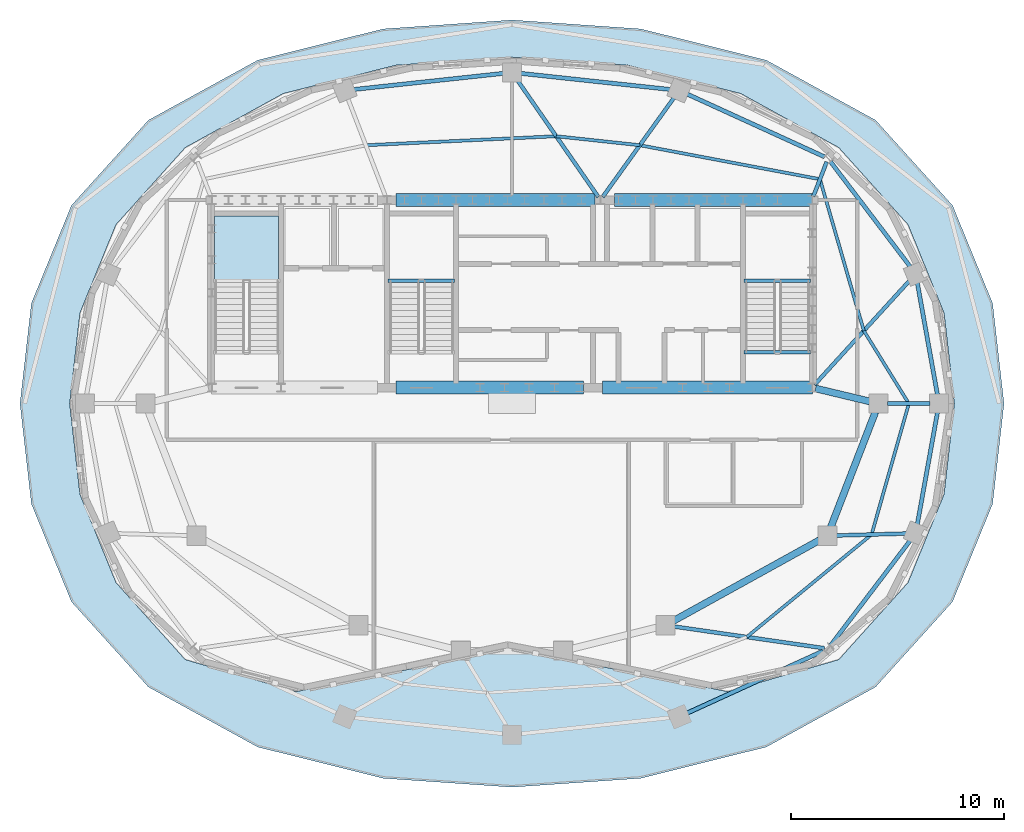
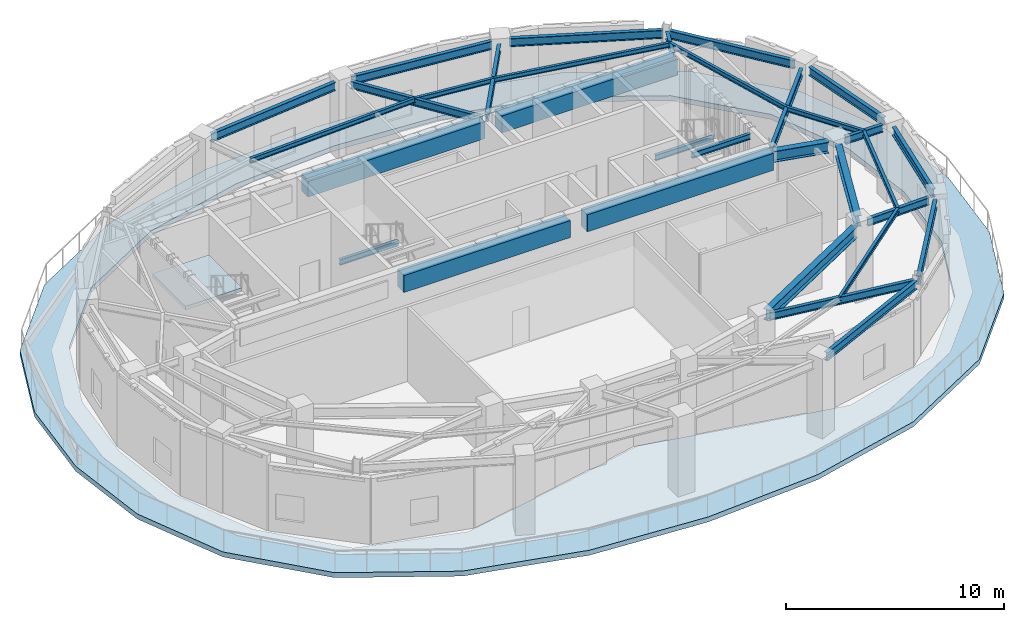
# One storey, part 2 of 8: 32 beams, 2 slabs, 1 element without a shape of its own.
"""IFC4 building model written with IfcOpenShell, lengths in metres."""

from ifc_helpers import new_model, si_unit, direction, frame, origin, origin_2d, place, context, subcontext, project, spatial, polyline, rectangle, i_section, outline, extrude, material, layer, layer_set, material_profile, profile_set, type_object, element, aggregate, save


model = new_model("IFC4")

# Units and contexts
model_context = context("Model", 3, precision=1e-05, world=origin(), true_north=direction((0.0, 1.0)))
body_context = subcontext(model_context, "Body", "Model", "MODEL_VIEW")
ifc_project = project(units=[si_unit("LENGTHUNIT", "METRE"), si_unit("AREAUNIT", "SQUARE_METRE"), si_unit("VOLUMEUNIT", "CUBIC_METRE"), si_unit("PLANEANGLEUNIT", "RADIAN"), si_unit("MASSUNIT", "GRAM", prefix="KILO")], contexts=[model_context])

# Site, building, storey
site_placement = place(None, origin())
site = spatial("IfcSite", under=ifc_project, at=site_placement, CompositionType="ELEMENT")
building_placement = place(site_placement, origin())
building = spatial("IfcBuilding", under=site, at=building_placement, Name="Haldorwick Loom Tower", CompositionType="ELEMENT")
storey_placement = place(building_placement, frame((0.0, 0.0, 291.5)))
storey = spatial("IfcBuildingStorey", under=building, at=storey_placement, Name="L78", CompositionType="ELEMENT", Elevation=291.5)

# Beams
ifc_material_1 = material(Name="Concrete C50 (50 MPa)", Category="concrete")
ifc_material_profile_1 = material_profile(ifc_material_1, rectangle(XDim=0.60009765625, YDim=0.949951171875, at=origin_2d()), Name="RC600X950", Category="concrete")
ifc_profile_set_1 = profile_set([ifc_material_profile_1], Name="Concrete C50 (50 MPa)")
beam_type_1 = type_object("IfcBeamType", Name="STR-BM-CB950", PredefinedType="LINTEL", material=ifc_profile_set_1)
beam_1_placement = place(storey_placement, frame((30.550048828125, 35.550048828125, 3.7451171875), z_axis=(1.0, 0.0, 0.0), x_axis=(0.0, 1.0, 0.0)))
element("IfcBeam", 1, at=beam_1_placement, inside=storey, type_object=beam_type_1, Name="L78 Core Coupling Beam CB-N2", PredefinedType="LINTEL", context=body_context, shape_type="SweptSolid", body=[
    extrude(rectangle(XDim=0.60009765625, YDim=0.949951171875, at=origin_2d()), origin(), (0.0, 0.0, 1.0), 9.349853515625),
])
beam_2_placement = place(storey_placement, frame((40.800048828125, 35.550048828125, 3.7451171875), z_axis=(1.0, 0.0, 0.0), x_axis=(0.0, 1.0, 0.0)))
element("IfcBeam", 2, at=beam_2_placement, inside=storey, type_object=beam_type_1, Name="L78 Core Coupling Beam CB-N3", PredefinedType="LINTEL", context=body_context, shape_type="SweptSolid", body=[
    extrude(rectangle(XDim=0.60009765625, YDim=0.949951171875, at=origin_2d()), origin(), (0.0, 0.0, 1.0), 9.300048828125),
])
beam_3_placement = place(storey_placement, frame((30.550048828125, 26.75, 3.7451171875), z_axis=(1.0, 0.0, 0.0), x_axis=(0.0, 1.0, 0.0)))
element("IfcBeam", 3, at=beam_3_placement, inside=storey, type_object=beam_type_1, Name="L78 Core Coupling Beam CB-S2", PredefinedType="LINTEL", context=body_context, shape_type="SweptSolid", body=[
    extrude(rectangle(XDim=0.60009765625, YDim=0.949951171875, at=origin_2d()), origin(), (0.0, 0.0, 1.0), 8.800048828125),
])
beam_4_placement = place(storey_placement, frame((40.25, 26.75, 3.7451171875), z_axis=(1.0, 0.0, 0.0), x_axis=(0.0, 1.0, 0.0)))
element("IfcBeam", 4, at=beam_4_placement, inside=storey, type_object=beam_type_1, Name="L78 Core Coupling Beam CB-S3", PredefinedType="LINTEL", context=body_context, shape_type="SweptSolid", body=[
    extrude(rectangle(XDim=0.60009765625, YDim=0.949951171875, at=origin_2d()), origin(), (0.0, 0.0, 1.0), 9.85009765625),
])
ifc_material_2 = material(Name="Steel CSA G40.21 350W", Category="steel")
ifc_material_profile_2 = material_profile(ifc_material_2, i_section(OverallWidth=0.14599609375, OverallDepth=0.258056640625, WebThickness=0.006103515625, FlangeThickness=0.009033203125, at=origin_2d()), Name="W250X33", Category="steel")
ifc_profile_set_2 = profile_set([ifc_material_profile_2], Name="Steel CSA G40.21 350W")
beam_type_2 = type_object("IfcBeamType", Name="STR-BM-J250", PredefinedType="JOIST", material=ifc_profile_set_2)
beam_5_placement = place(storey_placement, frame((54.61669921875, 26.0, 4.091064453125), z_axis=(-0.525703769437, 0.850667706452, 0.0), x_axis=(-0.850667706452, -0.525703769437, 0.0)))
element("IfcBeam", 5, at=beam_5_placement, inside=storey, type_object=beam_type_2, Name="L78 Mid-Bay Secondary Joist 1", PredefinedType="JOIST", context=body_context, shape_type="SweptSolid", body=[
    extrude(i_section(OverallWidth=0.14599609375, OverallDepth=0.258056640625, WebThickness=0.006103515625, FlangeThickness=0.009033203125, at=origin_2d()), origin(), (0.0, 0.0, 1.0), 4.01708984375),
])
beam_6_placement = place(storey_placement, frame((52.5048828125, 29.417236328125, 4.091064453125), z_axis=(-0.27798758119, 0.96058466816, 0.0), x_axis=(-0.96058466816, -0.27798758119, 0.0)))
element("IfcBeam", 6, at=beam_6_placement, inside=storey, type_object=beam_type_2, Name="L78 Mid-Bay Secondary Joist 2", PredefinedType="JOIST", context=body_context, shape_type="SweptSolid", body=[
    extrude(i_section(OverallWidth=0.14599609375, OverallDepth=0.258056640625, WebThickness=0.006103515625, FlangeThickness=0.009033203125, at=origin_2d()), origin(), (0.0, 0.0, 1.0), 7.400146484375),
])
beam_7_placement = place(storey_placement, frame((50.44775390625, 36.525634765625, 4.091064453125), z_axis=(-0.982664581525, 0.185392341308, 0.0), x_axis=(-0.185392341308, -0.982664581525, 0.0)))
element("IfcBeam", 7, at=beam_7_placement, inside=storey, type_object=beam_type_2, Name="L78 Mid-Bay Secondary Joist 3", PredefinedType="JOIST", context=body_context, shape_type="SweptSolid", body=[
    extrude(i_section(OverallWidth=0.14599609375, OverallDepth=0.258056640625, WebThickness=0.006103515625, FlangeThickness=0.009033203125, at=origin_2d()), origin(), (0.0, 0.0, 1.0), 8.599365234375),
])
beam_8_placement = place(storey_placement, frame((41.99755859375, 38.119873046875, 4.091064453125), z_axis=(-0.994246477225, 0.107116490451, 0.0), x_axis=(-0.107116490451, -0.994246477225, 0.0)))
element("IfcBeam", 8, at=beam_8_placement, inside=storey, type_object=beam_type_2, Name="L78 Mid-Bay Secondary Joist 4", PredefinedType="JOIST", context=body_context, shape_type="SweptSolid", body=[
    extrude(i_section(OverallWidth=0.14599609375, OverallDepth=0.258056640625, WebThickness=0.006103515625, FlangeThickness=0.009033203125, at=origin_2d()), origin(), (0.0, 0.0, 1.0), 3.9453125),
])
beam_9_placement = place(storey_placement, frame((38.074951171875, 38.54248046875, 4.091064453125), z_axis=(-0.998882668126, -0.047259023657, 0.0), x_axis=(0.047259023657, -0.998882668126, 0.0)))
element("IfcBeam", 9, at=beam_9_placement, inside=storey, type_object=beam_type_2, Name="L78 Mid-Bay Secondary Joist 5", PredefinedType="JOIST", context=body_context, shape_type="SweptSolid", body=[
    extrude(i_section(OverallWidth=0.14599609375, OverallDepth=0.258056640625, WebThickness=0.006103515625, FlangeThickness=0.009033203125, at=origin_2d()), origin(), (0.0, 0.0, 1.0), 8.9423828125),
])
beam_10_placement = place(storey_placement, frame((47.0126953125, 15.04931640625, 4.091064453125), z_axis=(0.772901177017, 0.634526414396, 0.0), x_axis=(-0.634526414396, 0.772901177017, 0.0)))
element("IfcBeam", 10, at=beam_10_placement, inside=storey, type_object=beam_type_2, Name="L78 Mid-Bay Secondary Joist 15", PredefinedType="JOIST", context=body_context, shape_type="SweptSolid", body=[
    extrude(i_section(OverallWidth=0.14599609375, OverallDepth=0.258056640625, WebThickness=0.006103515625, FlangeThickness=0.009033203125, at=origin_2d()), origin(), (0.0, 0.0, 1.0), 7.577880859375),
])
beam_11_placement = place(storey_placement, frame((52.86962890625, 19.857666015625, 4.091064453125), z_axis=(0.273579780374, 0.961849314482, 0.0), x_axis=(-0.961849314482, 0.273579780374, 0.0)))
element("IfcBeam", 11, at=beam_11_placement, inside=storey, type_object=beam_type_2, Name="L78 Mid-Bay Secondary Joist 16", PredefinedType="JOIST", context=body_context, shape_type="SweptSolid", body=[
    extrude(i_section(OverallWidth=0.14599609375, OverallDepth=0.258056640625, WebThickness=0.006103515625, FlangeThickness=0.009033203125, at=origin_2d()), origin(), (0.0, 0.0, 1.0), 6.385986328125),
])
ifc_material_profile_3 = material_profile(ifc_material_2, i_section(OverallWidth=0.179931640625, OverallDepth=0.4130859375, WebThickness=0.009765625, FlangeThickness=0.01611328125, at=origin_2d()), Name="W410X74", Category="steel")
ifc_profile_set_3 = profile_set([ifc_material_profile_3], Name="Steel CSA G40.21 350W")
beam_type_3 = type_object("IfcBeamType", Name="STR-BM-J410", PredefinedType="JOIST", material=ifc_profile_set_3)
beam_12_placement = place(storey_placement, frame((53.625, 26.0, 4.013427734375), z_axis=(1.0, 0.0, 0.0), x_axis=(0.0, 1.0, 0.0)))
element("IfcBeam", 12, at=beam_12_placement, inside=storey, type_object=beam_type_3, Name="L78 Radial Floor Girder 1", PredefinedType="JOIST", context=body_context, shape_type="SweptSolid", body=[
    extrude(i_section(OverallWidth=0.179931640625, OverallDepth=0.4130859375, WebThickness=0.009765625, FlangeThickness=0.01611328125, at=origin_2d()), origin(), (0.0, 0.0, 1.0), 1.983642578125),
])
beam_13_placement = place(storey_placement, frame((50.185546875, 26.876708984375, 4.013427734375), z_axis=(0.67419160998, 0.738556479243, 0.0), x_axis=(-0.738556479243, 0.67419160998, 0.0)))
element("IfcBeam", 13, at=beam_13_placement, inside=storey, type_object=beam_type_3, Name="L78 Radial Floor Girder 2", PredefinedType="JOIST", context=body_context, shape_type="SweptSolid", body=[
    extrude(i_section(OverallWidth=0.179931640625, OverallDepth=0.4130859375, WebThickness=0.009765625, FlangeThickness=0.01611328125, at=origin_2d()), origin(), (0.0, 0.0, 1.0), 6.62646484375),
])
beam_14_placement = place(storey_placement, frame((50.1318359375, 35.7099609375, 4.013427734375), z_axis=(0.361166360631, 0.932501399435, 0.0), x_axis=(-0.932501399435, 0.361166360631, 0.0)))
element("IfcBeam", 14, at=beam_14_placement, inside=storey, type_object=beam_type_3, Name="L78 Radial Floor Girder 3", PredefinedType="JOIST", context=body_context, shape_type="SweptSolid", body=[
    extrude(i_section(OverallWidth=0.179931640625, OverallDepth=0.4130859375, WebThickness=0.009765625, FlangeThickness=0.01611328125, at=origin_2d()), origin(), (0.0, 0.0, 1.0), 1.74951171875),
])
beam_15_placement = place(storey_placement, frame((40.25, 35.689208984375, 4.013427734375), z_axis=(0.583744840056, 0.811937166109, 0.0), x_axis=(-0.811937166109, 0.583744840056, 0.0)))
element("IfcBeam", 15, at=beam_15_placement, inside=storey, type_object=beam_type_3, Name="L78 Radial Floor Girder 4", PredefinedType="JOIST", context=body_context, shape_type="SweptSolid", body=[
    extrude(i_section(OverallWidth=0.179931640625, OverallDepth=0.4130859375, WebThickness=0.009765625, FlangeThickness=0.01611328125, at=origin_2d()), origin(), (0.0, 0.0, 1.0), 5.733642578125),
])
beam_16_placement = place(storey_placement, frame((40.05224609375, 35.69091796875, 4.013427734375), z_axis=(-0.56982499389, 0.821766071542, 0.0), x_axis=(-0.821766071542, -0.56982499389, 0.0)))
element("IfcBeam", 16, at=beam_16_placement, inside=storey, type_object=beam_type_3, Name="L78 Radial Floor Girder 5", PredefinedType="JOIST", context=body_context, shape_type="SweptSolid", body=[
    extrude(i_section(OverallWidth=0.179931640625, OverallDepth=0.4130859375, WebThickness=0.009765625, FlangeThickness=0.01611328125, at=origin_2d()), origin(), (0.0, 0.0, 1.0), 6.686279296875),
])
beam_17_placement = place(storey_placement, frame((43.62060546875, 15.539306640625, 4.013427734375), z_axis=(0.989729868718, -0.142950295447, 0.0), x_axis=(0.142950295447, 0.989729868718, 0.0)))
element("IfcBeam", 17, at=beam_17_placement, inside=storey, type_object=beam_type_3, Name="L78 Radial Floor Girder 15", PredefinedType="JOIST", context=body_context, shape_type="SweptSolid", body=[
    extrude(i_section(OverallWidth=0.179931640625, OverallDepth=0.4130859375, WebThickness=0.009765625, FlangeThickness=0.01611328125, at=origin_2d()), origin(), (0.0, 0.0, 1.0), 7.108154296875),
])
beam_18_placement = place(storey_placement, frame((51.224853515625, 19.811767578125, 4.013427734375), z_axis=(0.999610923833, 0.02789266845, 0.0), x_axis=(-0.02789266845, 0.999610923833, 0.0)))
element("IfcBeam", 18, at=beam_18_placement, inside=storey, type_object=beam_type_3, Name="L78 Radial Floor Girder 16", PredefinedType="JOIST", context=body_context, shape_type="SweptSolid", body=[
    extrude(i_section(OverallWidth=0.179931640625, OverallDepth=0.4130859375, WebThickness=0.009765625, FlangeThickness=0.01611328125, at=origin_2d()), origin(), (0.0, 0.0, 1.0), 3.291015625),
])
ifc_material_profile_4 = material_profile(ifc_material_2, i_section(OverallWidth=0.193115234375, OverallDepth=0.466064453125, WebThickness=0.011474609375, FlangeThickness=0.01904296875, at=origin_2d()), Name="W460X97", Category="steel")
ifc_profile_set_4 = profile_set([ifc_material_profile_4], Name="Steel CSA G40.21 350W")
beam_type_4 = type_object("IfcBeamType", Name="STR-BM-SP460", PredefinedType="SPANDREL", material=ifc_profile_set_4)
beam_19_placement = place(storey_placement, frame((55.95849609375, 26.418212890625, 3.987060546875), z_axis=(-0.176999556218, 0.984210931202, 0.0), x_axis=(-0.984210931202, -0.176999556218, 0.0)))
element("IfcBeam", 19, at=beam_19_placement, inside=storey, type_object=beam_type_4, Name="L78 Perimeter Spandrel 1", PredefinedType="SPANDREL", context=body_context, shape_type="SweptSolid", body=[
    extrude(i_section(OverallWidth=0.193115234375, OverallDepth=0.466064453125, WebThickness=0.011474609375, FlangeThickness=0.01904296875, at=origin_2d()), origin(), (0.0, 0.0, 1.0), 5.33251953125),
])
beam_20_placement = place(storey_placement, frame((54.682373046875, 32.423095703125, 3.987060546875), z_axis=(-0.604848808079, 0.796340328858, 0.0), x_axis=(-0.796340328858, -0.604848808079, 0.0)))
element("IfcBeam", 20, at=beam_20_placement, inside=storey, type_object=beam_type_4, Name="L78 Perimeter Spandrel 2", PredefinedType="SPANDREL", context=body_context, shape_type="SweptSolid", body=[
    extrude(i_section(OverallWidth=0.193115234375, OverallDepth=0.466064453125, WebThickness=0.011474609375, FlangeThickness=0.01904296875, at=origin_2d()), origin(), (0.0, 0.0, 1.0), 6.205078125),
])
beam_21_placement = place(storey_placement, frame((50.66943359375, 37.572509765625, 3.987060546875), z_axis=(-0.909597043303, 0.415491538799, 0.0), x_axis=(-0.415491538799, -0.909597043303, 0.0)))
element("IfcBeam", 21, at=beam_21_placement, inside=storey, type_object=beam_type_4, Name="L78 Perimeter Spandrel 3", PredefinedType="SPANDREL", context=body_context, shape_type="SweptSolid", body=[
    extrude(i_section(OverallWidth=0.193115234375, OverallDepth=0.466064453125, WebThickness=0.011474609375, FlangeThickness=0.01904296875, at=origin_2d()), origin(), (0.0, 0.0, 1.0), 7.07763671875),
])
for number, where, z_axis, x_axis, name in (
    (22, (43.42236328125, 40.735107421875, 3.987060546875), (-0.994246141162, 0.107119609712, 0.0), (-0.107119609712, -0.994246141162, 0.0), "L78 Perimeter Spandrel 4"),
    (23, (35.577392578125, 41.4892578125, 3.987060546875), (-0.994246141162, -0.107119609712, 0.0), (0.107119609712, -0.994246141162, 0.0), "L78 Perimeter Spandrel 5"),
):
    element("IfcBeam", number, at=place(storey_placement, frame(where, z_axis=z_axis, x_axis=x_axis)), inside=storey, type_object=beam_type_4, Name=name, PredefinedType="SPANDREL", context=body_context, shape_type="SweptSolid", body=[
        extrude(i_section(OverallWidth=0.193115234375, OverallDepth=0.466064453125, WebThickness=0.011474609375, FlangeThickness=0.01904296875, at=origin_2d()), origin(), (0.0, 0.0, 1.0), 7.040283203125),
    ])
beam_22_placement = place(storey_placement, frame((44.231689453125, 11.48681640625, 3.987060546875), z_axis=(0.909597043303, 0.415491538799, 0.0), x_axis=(-0.415491538799, 0.909597043303, 0.0)))
element("IfcBeam", 24, at=beam_22_placement, inside=storey, type_object=beam_type_4, Name="L78 Perimeter Spandrel 14", PredefinedType="SPANDREL", context=body_context, shape_type="SweptSolid", body=[
    extrude(i_section(OverallWidth=0.193115234375, OverallDepth=0.466064453125, WebThickness=0.011474609375, FlangeThickness=0.01904296875, at=origin_2d()), origin(), (0.0, 0.0, 1.0), 7.07763671875),
])
beam_23_placement = place(storey_placement, frame((50.92919921875, 14.635498046875, 3.987060546875), z_axis=(0.604848808079, 0.796340328858, 0.0), x_axis=(-0.796340328858, 0.604848808079, 0.0)))
element("IfcBeam", 25, at=beam_23_placement, inside=storey, type_object=beam_type_4, Name="L78 Perimeter Spandrel 15", PredefinedType="SPANDREL", context=body_context, shape_type="SweptSolid", body=[
    extrude(i_section(OverallWidth=0.193115234375, OverallDepth=0.466064453125, WebThickness=0.011474609375, FlangeThickness=0.01904296875, at=origin_2d()), origin(), (0.0, 0.0, 1.0), 6.205078125),
])
beam_24_placement = place(storey_placement, frame((55.0146484375, 20.33349609375, 3.987060546875), z_axis=(0.176999556218, 0.984210931202, 0.0), x_axis=(-0.984210931202, 0.176999556218, 0.0)))
element("IfcBeam", 26, at=beam_24_placement, inside=storey, type_object=beam_type_4, Name="L78 Perimeter Spandrel 16", PredefinedType="SPANDREL", context=body_context, shape_type="SweptSolid", body=[
    extrude(i_section(OverallWidth=0.193115234375, OverallDepth=0.466064453125, WebThickness=0.011474609375, FlangeThickness=0.01904296875, at=origin_2d()), origin(), (0.0, 0.0, 1.0), 5.33251953125),
])
ifc_material_profile_5 = material_profile(ifc_material_2, i_section(OverallWidth=0.166015625, OverallDepth=0.31298828125, WebThickness=0.006591796875, FlangeThickness=0.01123046875, at=origin_2d()), Name="W310X45", Category="steel")
ifc_profile_set_5 = profile_set([ifc_material_profile_5], Name="Steel CSA G40.21 350W")
beam_type_5 = type_object("IfcBeamType", Name="STR-BM-STRM", PredefinedType="BEAM", material=ifc_profile_set_5)
for number, where, z_axis, x_axis, name in (
    (27, (46.889892578125, 28.39990234375, 4.0634765625), (1.0, 0.0, 0.0), (0.0, 1.0, 0.0), "L78 Stair ST-02 Landing Edge Trimmer"),
    (28, (46.889892578125, 31.760009765625, 1.8935546875), (1.0, 0.0, 0.0), (0.0, 1.0, 0.0), "L78 Stair ST-02 Half-Landing Trimmer 1"),
    (29, (30.18994140625, 31.760009765625, 1.8935546875), (1.0, 0.0, 0.0), (0.0, 1.0, 0.0), "L78 Stair ST-03 Half-Landing Trimmer 1"),
):
    element("IfcBeam", number, at=place(storey_placement, frame(where, z_axis=z_axis, x_axis=x_axis)), inside=storey, type_object=beam_type_5, Name=name, PredefinedType="BEAM", context=body_context, shape_type="SweptSolid", body=[
        extrude(i_section(OverallWidth=0.166015625, OverallDepth=0.31298828125, WebThickness=0.006591796875, FlangeThickness=0.01123046875, at=origin_2d()), origin(), (0.0, 0.0, 1.0), 3.1201171875),
    ])
ifc_material_profile_6 = material_profile(ifc_material_2, i_section(OverallWidth=0.324951171875, OverallDepth=0.615966796875, WebThickness=0.013916015625, FlangeThickness=0.021484375, at=origin_2d()), Name="W610X174", Category="steel")
ifc_profile_set_6 = profile_set([ifc_material_profile_6], Name="Steel CSA G40.21 350W")
beam_type_6 = type_object("IfcBeamType", Name="STR-BM-W610A", PredefinedType="BEAM", material=ifc_profile_set_6)
beam_25_placement = place(storey_placement, frame((50.23681640625, 26.7099609375, 3.912109375), z_axis=(0.972483573168, -0.232971457302, 0.0), x_axis=(0.232971457302, 0.972483573168, 0.0)))
element("IfcBeam", 30, at=beam_25_placement, inside=storey, type_object=beam_type_6, Name="L78 Inner Ring Girder 1", PredefinedType="BEAM", context=body_context, shape_type="SweptSolid", body=[
    extrude(i_section(OverallWidth=0.324951171875, OverallDepth=0.615966796875, WebThickness=0.013916015625, FlangeThickness=0.021484375, at=origin_2d()), origin(), (0.0, 0.0, 1.0), 2.6220703125),
])
beam_26_placement = place(storey_placement, frame((53.046630859375, 25.603759765625, 3.912109375), z_axis=(-0.361001189766, -0.932565354808, 0.0), x_axis=(0.932565354808, -0.361001189766, 0.0)))
element("IfcBeam", 31, at=beam_26_placement, inside=storey, type_object=beam_type_6, Name="L78 Inner Ring Girder 2", PredefinedType="BEAM", context=body_context, shape_type="SweptSolid", body=[
    extrude(i_section(OverallWidth=0.324951171875, OverallDepth=0.615966796875, WebThickness=0.013916015625, FlangeThickness=0.021484375, at=origin_2d()), origin(), (0.0, 0.0, 1.0), 5.798583984375),
])
beam_27_placement = place(storey_placement, frame((50.427978515625, 19.594482421875, 3.912109375), z_axis=(-0.875241535439, -0.48368611169, 0.0), x_axis=(0.48368611169, -0.875241535439, 0.0)))
element("IfcBeam", 32, at=beam_27_placement, inside=storey, type_object=beam_type_6, Name="L78 Inner Ring Girder 3", PredefinedType="BEAM", context=body_context, shape_type="SweptSolid", body=[
    extrude(i_section(OverallWidth=0.324951171875, OverallDepth=0.615966796875, WebThickness=0.013916015625, FlangeThickness=0.021484375, at=origin_2d()), origin(), (0.0, 0.0, 1.0), 7.833251953125),
])

# Stair, slab
ifc_material_3 = material(Name="Concrete C40 (40 MPa)", Category="concrete")
stair_type = type_object("IfcStairType", Name="STR-STR-CORE", PredefinedType="HALF_TURN_STAIR", material=ifc_material_3)
stair_placement = place(storey_placement, origin())
stair = element("IfcStair", 33, at=stair_placement, inside=storey, type_object=stair_type, Name="L78 Exit Stair ST-01", PredefinedType="HALF_TURN_STAIR")
ifc_layer_1 = layer(ifc_material_3, 0.199951171875, Name="Concrete C40 (40 MPa)", Category="concrete")
ifc_layer_set_1 = layer_set([ifc_layer_1], Name="Concrete C40 (40 MPa)")
slab_type_1 = type_object("IfcSlabType", Name="STR-SLB-LAND200", PredefinedType="LANDING", material=ifc_layer_set_1)
slab_1_placement = place(storey_placement, frame((0.0, 0.0, 2.050048828125)))
slab_1 = element("IfcSlab", 34, at=slab_1_placement, type_object=slab_type_1, Name="ST-01 landing 1", PredefinedType="LANDING", context=body_context, shape_type="SweptSolid", body=[
    extrude(outline(polyline([(25.050048828125, 31.760009765625), (25.050048828125, 34.800048828125), (22.050048828125, 34.800048828125), (22.050048828125, 31.760009765625), (25.050048828125, 31.760009765625)])), origin(), (0.0, 0.0, 1.0), 0.199951171875),
])
aggregate(stair, [slab_1])

# Slab
ifc_layer_2 = layer(ifc_material_3, 0.280029296875, Name="Concrete C40 (40 MPa)", Category="concrete")
ifc_layer_set_2 = layer_set([ifc_layer_2], Name="Concrete C40 (40 MPa)")
slab_type_2 = type_object("IfcSlabType", Name="STR-SLB-TERR280", PredefinedType="FLOOR", material=ifc_layer_set_2)
slab_2_placement = place(storey_placement, frame((0.0, 0.0, -0.280029296875)))
element("IfcSlab", 35, at=slab_2_placement, inside=storey, type_object=slab_type_2, Name="L78 Planted Setback Terrace Slab 1", PredefinedType="FLOOR", context=body_context, shape_type="SweptSolid", body=[
    extrude(outline(polyline([(59.08056640625, 25.997802734375), (59.080810546875, 26.0), (59.08056640625, 26.002197265625), (58.54541015625, 30.70703125), (58.545166015625, 30.708984375), (58.544677734375, 30.710693359375), (58.5439453125, 30.71240234375), (56.664306640625, 35.298095703125), (56.66357421875, 35.299560546875), (56.66259765625, 35.301025390625), (56.661865234375, 35.302490234375), (56.66064453125, 35.3037109375), (53.05712890625, 39.29443359375), (53.055419921875, 39.296142578125), (53.0537109375, 39.29736328125), (53.0517578125, 39.298583984375), (47.93212890625, 42.10888671875), (47.930419921875, 42.109619140625), (47.928955078125, 42.1103515625), (47.92724609375, 42.11083984375), (42.04248046875, 43.5771484375), (42.041015625, 43.577392578125), (42.0390625, 43.57763671875), (36.00146484375, 43.9951171875), (35.99853515625, 43.9951171875), (29.9609375, 43.57763671875), (29.958984375, 43.577392578125), (29.95751953125, 43.5771484375), (24.07275390625, 42.11083984375), (24.071044921875, 42.1103515625), (24.069580078125, 42.109619140625), (24.06787109375, 42.10888671875), (18.9482421875, 39.298583984375), (18.9462890625, 39.29736328125), (18.944580078125, 39.296142578125), (18.94287109375, 39.29443359375), (15.33935546875, 35.3037109375), (15.338134765625, 35.302490234375), (15.33740234375, 35.301025390625), (15.33642578125, 35.299560546875), (15.335693359375, 35.298095703125), (13.4560546875, 30.71240234375), (13.455322265625, 30.710693359375), (13.454833984375, 30.708984375), (13.45458984375, 30.70703125), (12.91943359375, 26.002197265625), (12.919189453125, 26.0), (12.91943359375, 25.997802734375), (13.45458984375, 21.29296875), (13.454833984375, 21.291015625), (13.455322265625, 21.289306640625), (13.4560546875, 21.28759765625), (15.335693359375, 16.701904296875), (15.33642578125, 16.700439453125), (15.33740234375, 16.698974609375), (15.338134765625, 16.697509765625), (15.33935546875, 16.6962890625), (18.94287109375, 12.70556640625), (18.944580078125, 12.703857421875), (18.9462890625, 12.70263671875), (18.9482421875, 12.701416015625), (24.06787109375, 9.89111328125), (24.069580078125, 9.890380859375), (24.071044921875, 9.8896484375), (24.07275390625, 9.88916015625), (29.95751953125, 8.4228515625), (29.958984375, 8.422607421875), (29.9609375, 8.42236328125), (35.99853515625, 8.0048828125), (36.00146484375, 8.0048828125), (42.0390625, 8.42236328125), (42.041015625, 8.422607421875), (42.04248046875, 8.4228515625), (47.92724609375, 9.88916015625), (47.928955078125, 9.8896484375), (47.930419921875, 9.890380859375), (47.93212890625, 9.89111328125), (53.0517578125, 12.701416015625), (53.0537109375, 12.70263671875), (53.055419921875, 12.703857421875), (53.05712890625, 12.70556640625), (56.66064453125, 16.6962890625), (56.661865234375, 16.697509765625), (56.66259765625, 16.698974609375), (56.66357421875, 16.700439453125), (56.664306640625, 16.701904296875), (58.5439453125, 21.28759765625), (58.544677734375, 21.289306640625), (58.545166015625, 21.291015625), (58.54541015625, 21.29296875), (59.08056640625, 25.997802734375)]), holes=[polyline([(56.74853515625, 25.99853515625), (56.74853515625, 25.998046875), (56.267333984375, 21.74951171875), (56.267333984375, 21.7490234375), (56.26708984375, 21.748291015625), (56.26708984375, 21.747314453125), (56.266845703125, 21.7470703125), (56.2666015625, 21.74609375), (56.266357421875, 21.745361328125), (56.26611328125, 21.7451171875), (54.57568359375, 17.603271484375), (54.575439453125, 17.602783203125), (54.5751953125, 17.602294921875), (54.57470703125, 17.6015625), (54.57470703125, 17.60107421875), (54.57421875, 17.600341796875), (54.573974609375, 17.60009765625), (54.573486328125, 17.599365234375), (54.572998046875, 17.598876953125), (54.57275390625, 17.598388671875), (51.331787109375, 13.993896484375), (51.33154296875, 13.99365234375), (51.3310546875, 13.9931640625), (51.330322265625, 13.992431640625), (51.330078125, 13.9921875), (51.3291015625, 13.99169921875), (51.328857421875, 13.991455078125), (51.328125, 13.990966796875), (51.32763671875, 13.990478515625), (51.326904296875, 13.990234375), (51.326416015625, 13.989990234375), (51.325439453125, 13.98974609375), (51.324951171875, 13.989501953125), (51.324462890625, 13.9892578125), (46.12109375, 12.49072265625), (46.12060546875, 12.490478515625), (46.119873046875, 12.490478515625), (46.118896484375, 12.490234375), (46.118408203125, 12.490234375), (46.117431640625, 12.489990234375), (46.116943359375, 12.489990234375), (46.115966796875, 12.489990234375), (46.115478515625, 12.490234375), (46.114501953125, 12.490234375), (46.114013671875, 12.490478515625), (46.113525390625, 12.490478515625), (40.491943359375, 13.6044921875), (40.49169921875, 13.6044921875), (36.004150390625, 14.549072265625), (36.002197265625, 14.54931640625), (36.0, 14.54931640625), (35.997802734375, 14.54931640625), (35.995849609375, 14.549072265625), (31.508056640625, 13.6044921875), (31.508056640625, 13.6044921875), (25.886474609375, 12.490478515625), (25.885986328125, 12.490478515625), (25.885498046875, 12.490234375), (25.884521484375, 12.490234375), (25.884033203125, 12.489990234375), (25.883056640625, 12.489990234375), (25.882568359375, 12.489990234375), (25.881591796875, 12.490234375), (25.881103515625, 12.490234375), (25.880126953125, 12.490478515625), (25.87939453125, 12.490478515625), (25.87890625, 12.49072265625), (20.675537109375, 13.9892578125), (20.675048828125, 13.989501953125), (20.674560546875, 13.98974609375), (20.673583984375, 13.989990234375), (20.673095703125, 13.990234375), (20.67236328125, 13.990478515625), (20.671875, 13.990966796875), (20.671142578125, 13.991455078125), (20.6708984375, 13.99169921875), (20.669921875, 13.9921875), (20.669677734375, 13.992431640625), (20.6689453125, 13.9931640625), (20.66845703125, 13.99365234375), (20.668212890625, 13.993896484375), (17.42724609375, 17.598388671875), (17.427001953125, 17.598876953125), (17.426513671875, 17.599365234375), (17.426025390625, 17.60009765625), (17.42578125, 17.600341796875), (17.42529296875, 17.60107421875), (17.42529296875, 17.6015625), (17.4248046875, 17.602294921875), (17.424560546875, 17.602783203125), (17.42431640625, 17.603271484375), (15.73388671875, 21.7451171875), (15.733642578125, 21.745361328125), (15.7333984375, 21.74609375), (15.733154296875, 21.7470703125), (15.73291015625, 21.747314453125), (15.73291015625, 21.748291015625), (15.732666015625, 21.7490234375), (15.732666015625, 21.74951171875), (15.25146484375, 25.998046875), (15.25146484375, 25.99853515625), (15.25146484375, 25.99951171875), (15.25146484375, 26.00048828125), (15.25146484375, 26.00146484375), (15.25146484375, 26.001953125), (15.732666015625, 30.25048828125), (15.732666015625, 30.2509765625), (15.73291015625, 30.251708984375), (15.73291015625, 30.252685546875), (15.733154296875, 30.2529296875), (15.7333984375, 30.25390625), (15.733642578125, 30.254638671875), (15.73388671875, 30.2548828125), (17.42431640625, 34.396728515625), (17.424560546875, 34.397216796875), (17.4248046875, 34.397705078125), (17.42529296875, 34.3984375), (17.42529296875, 34.39892578125), (17.42578125, 34.399658203125), (17.426025390625, 34.39990234375), (17.426513671875, 34.400634765625), (17.427001953125, 34.401123046875), (17.42724609375, 34.401611328125), (20.668212890625, 38.006103515625), (20.66845703125, 38.00634765625), (20.669189453125, 38.007080078125), (20.669921875, 38.0078125), (20.67041015625, 38.008056640625), (20.67138671875, 38.0087890625), (20.672119140625, 38.00927734375), (20.672607421875, 38.009521484375), (25.27587890625, 40.547119140625), (25.2763671875, 40.54736328125), (25.27685546875, 40.547607421875), (25.277587890625, 40.548095703125), (25.278076171875, 40.548095703125), (25.27880859375, 40.548583984375), (25.279541015625, 40.548583984375), (25.280029296875, 40.548828125), (30.569580078125, 41.87255859375), (30.570068359375, 41.87255859375), (30.570556640625, 41.872802734375), (30.571533203125, 41.872802734375), (30.572021484375, 41.872802734375), (30.572509765625, 41.873046875), (35.99853515625, 42.249755859375), (35.999267578125, 42.249755859375), (36.000732421875, 42.249755859375), (36.00146484375, 42.249755859375), (41.427490234375, 41.873046875), (41.427978515625, 41.872802734375), (41.428466796875, 41.872802734375), (41.429443359375, 41.872802734375), (41.429931640625, 41.87255859375), (41.430419921875, 41.87255859375), (46.719970703125, 40.548828125), (46.720458984375, 40.548583984375), (46.72119140625, 40.548583984375), (46.721923828125, 40.548095703125), (46.722412109375, 40.548095703125), (46.72314453125, 40.547607421875), (46.7236328125, 40.54736328125), (46.72412109375, 40.547119140625), (51.327392578125, 38.009521484375), (51.327880859375, 38.00927734375), (51.32861328125, 38.0087890625), (51.32958984375, 38.008056640625), (51.330078125, 38.0078125), (51.330810546875, 38.007080078125), (51.33154296875, 38.00634765625), (51.331787109375, 38.006103515625), (54.57275390625, 34.401611328125), (54.572998046875, 34.401123046875), (54.573486328125, 34.400634765625), (54.573974609375, 34.39990234375), (54.57421875, 34.399658203125), (54.57470703125, 34.39892578125), (54.57470703125, 34.3984375), (54.5751953125, 34.397705078125), (54.575439453125, 34.397216796875), (54.57568359375, 34.396728515625), (56.26611328125, 30.2548828125), (56.266357421875, 30.254638671875), (56.2666015625, 30.25390625), (56.266845703125, 30.2529296875), (56.26708984375, 30.252685546875), (56.26708984375, 30.251708984375), (56.267333984375, 30.2509765625), (56.267333984375, 30.25048828125), (56.74853515625, 26.001953125), (56.74853515625, 26.00146484375), (56.74853515625, 26.00048828125), (56.74853515625, 25.99951171875), (56.74853515625, 25.99853515625)])]), origin(), (0.0, 0.0, 1.0), 0.280029296875),
])

save(model, "model.ifc")
